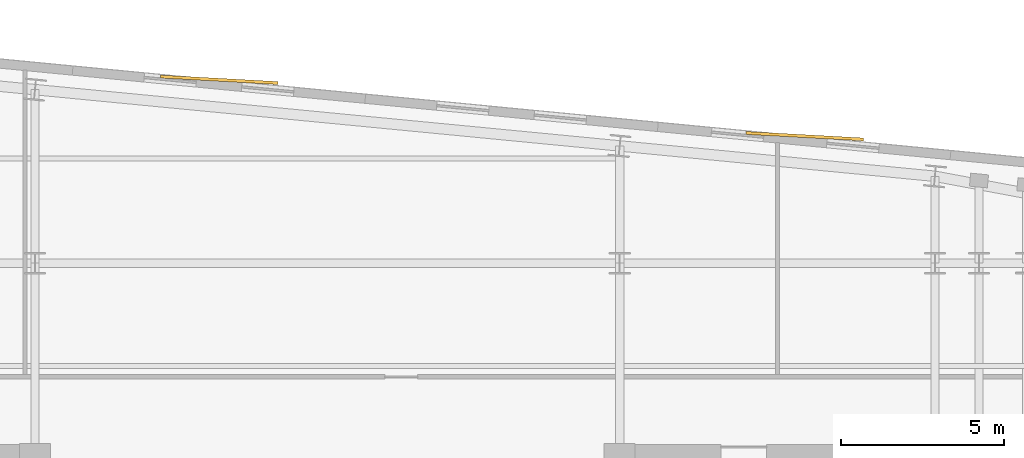
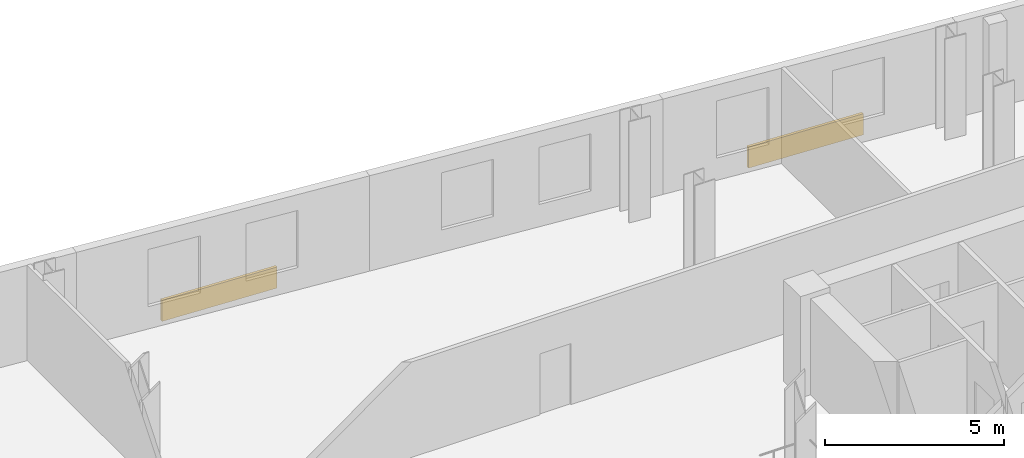
# One storey, part 9 of 9: 2 coverings.
"""IFC4 building model written with IfcOpenShell, lengths in metres."""

from ifc_helpers import new_model, si_unit, direction, frame, origin, origin_2d, place, context, subcontext, project, spatial, rectangle, extrude, material, layer, layer_set, type_object, element, save


model = new_model("IFC4")

# Units and contexts
model_context = context("Model", 3, precision=1e-05, world=origin(), true_north=direction((0.0, 1.0)))
body_context = subcontext(model_context, "Body", "Model", "MODEL_VIEW")
ifc_project = project(units=[si_unit("LENGTHUNIT", "METRE"), si_unit("AREAUNIT", "SQUARE_METRE"), si_unit("VOLUMEUNIT", "CUBIC_METRE"), si_unit("PLANEANGLEUNIT", "RADIAN"), si_unit("MASSUNIT", "GRAM", prefix="KILO")], contexts=[model_context])

# Site, building, storey
site_placement = place(None, origin())
site = spatial("IfcSite", under=ifc_project, at=site_placement, CompositionType="ELEMENT")
building_placement = place(site_placement, origin())
building = spatial("IfcBuilding", under=site, at=building_placement, Name="Velakula Bourse", CompositionType="ELEMENT")
storey_placement = place(building_placement, frame((0.0, 0.0, 163.85009765625)))
storey = spatial("IfcBuildingStorey", under=building, at=storey_placement, Name="L44", CompositionType="ELEMENT", Elevation=163.85009765625)

# Coverings
ifc_material = material(Name="Buff kilned clay facing brick masonry", Category="masonry")
ifc_layer = layer(ifc_material, 0.074951171875, Name="Buff kilned clay facing brick masonry", Category="masonry")
ifc_layer_set = layer_set([ifc_layer], Name="Buff kilned clay facing brick masonry")
covering_type = type_object("IfcCoveringType", Name="COV-BRK-SPN-75", PredefinedType="CLADDING", material=ifc_layer_set)
for number, where, z_axis, x_axis, name in (
    (1, (-3.304931640625, 20.213623046875, 0.0), (0.0, 0.0, 1.0), (0.998489097451, -0.054950179912, 0.0), "L44 Folded Brick Facade Cladding Panel N-B2"),
    (2, (14.6123046875, 18.48828125, 0.0), (0.0, 0.0, 1.0), (0.998489097451, -0.054950179912, 0.0), "L44 Folded Brick Facade Cladding Panel N-B4"),
):
    element("IfcCovering", number, at=place(storey_placement, frame(where, z_axis=z_axis, x_axis=x_axis)), inside=storey, type_object=covering_type, Name=name, PredefinedType="CLADDING", context=body_context, shape_type="SweptSolid", body=[
        extrude(rectangle(XDim=3.60009765625, YDim=0.090087890625, at=origin_2d()), origin(), (0.0, 0.0, 1.0), 0.719970703125),
    ])

save(model, "model.ifc")
